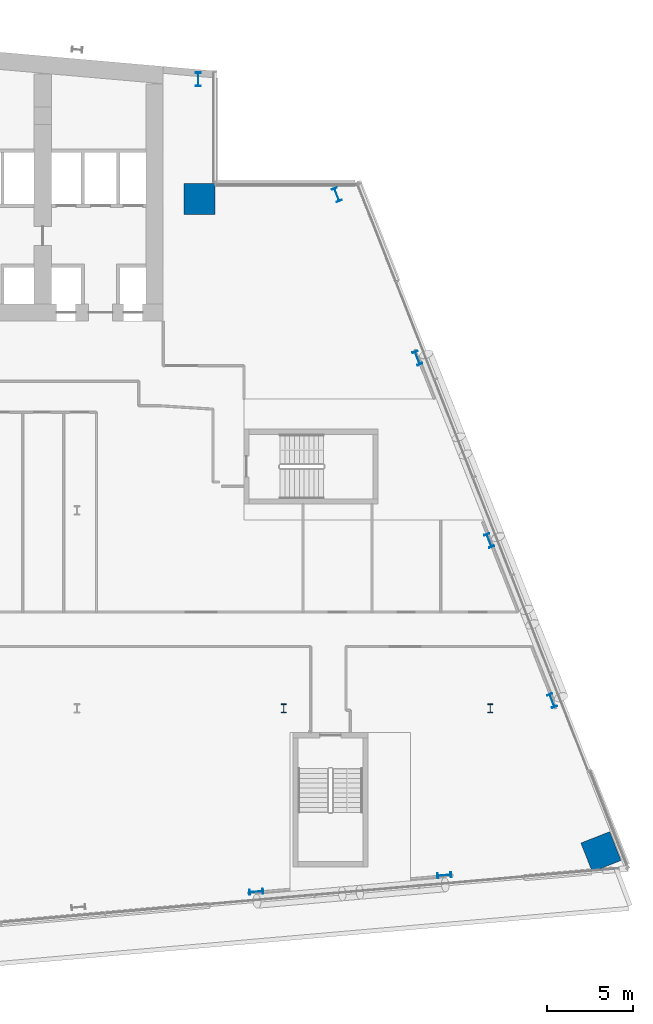
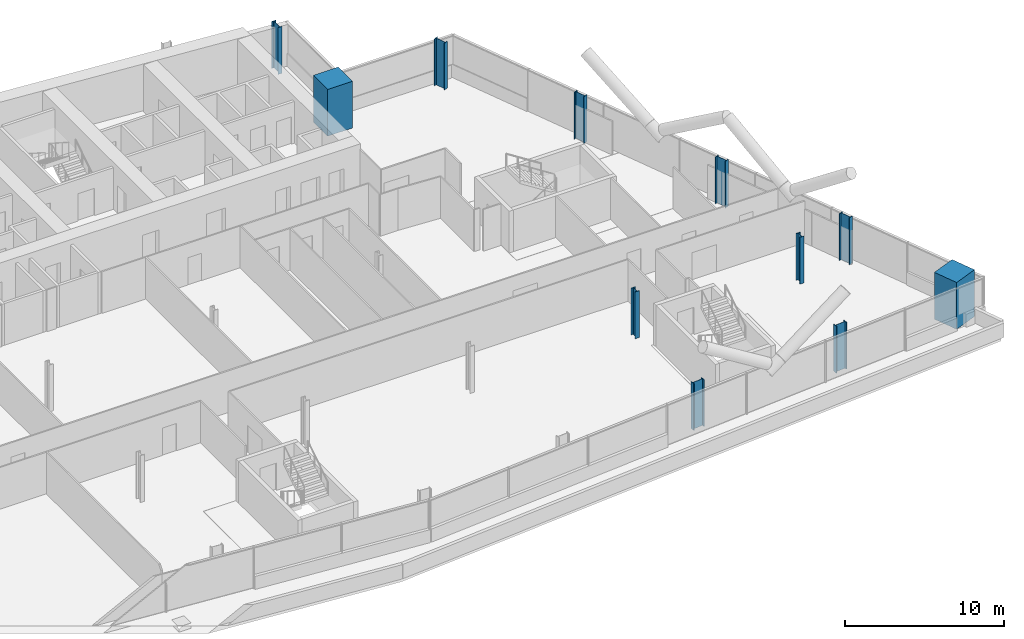
# One storey, part 3 of 26: 11 columns.
"""IFC4 building model written with IfcOpenShell, lengths in metres."""

from ifc_helpers import new_model, si_unit, direction, frame, origin, origin_2d, place, context, subcontext, project, spatial, rectangle, i_section, extrude, material, material_profile, profile_set, type_object, element, save


model = new_model("IFC4")

# Units and contexts
model_context = context("Model", 3, precision=1e-05, world=origin(), true_north=direction((0.0, 1.0)))
body_context = subcontext(model_context, "Body", "Model", "MODEL_VIEW")
ifc_project = project(units=[si_unit("LENGTHUNIT", "METRE"), si_unit("AREAUNIT", "SQUARE_METRE"), si_unit("VOLUMEUNIT", "CUBIC_METRE"), si_unit("PLANEANGLEUNIT", "RADIAN"), si_unit("MASSUNIT", "GRAM", prefix="KILO")], contexts=[model_context])

# Site, building, storey
site_placement = place(None, origin())
site = spatial("IfcSite", under=ifc_project, at=site_placement, CompositionType="ELEMENT")
building_placement = place(site_placement, origin())
building = spatial("IfcBuilding", under=site, at=building_placement, Name="Wharfspan Tower", CompositionType="ELEMENT")
storey_placement = place(building_placement, frame((0.0, 0.0, 96.699951)))
storey = spatial("IfcBuildingStorey", under=building, at=storey_placement, Name="L21", CompositionType="ELEMENT", Elevation=96.699951)

# Columns
ifc_material_1 = material(Name="Steel S355J2", Category="steel")
ifc_material_profile_1 = material_profile(ifc_material_1, i_section(OverallWidth=0.305908, OverallDepth=0.523926, WebThickness=0.020996, FlangeThickness=0.040039, FilletRadius=0.0271, at=origin_2d()))
ifc_profile_set_1 = profile_set([ifc_material_profile_1], Name="Steel S355J2")
column_type_1 = type_object("IfcColumnType", Name="Column HEM 500", PredefinedType="COLUMN", material=ifc_profile_set_1)
for number, where, z_axis, x_axis, name in (
    (1, (72.0, 11.5, 0.0), (0.0, 0.0, 1.0), (1.0, 0.0, 0.0), "Interior column I.1.6 L21"),
    (2, (84.0, 11.5, 0.0), (0.0, 0.0, 1.0), (1.0, 0.0, 0.0), "Interior column I.1.7 L21"),
):
    element("IfcColumn", number, at=place(storey_placement, frame(where, z_axis=z_axis, x_axis=x_axis)), inside=storey, type_object=column_type_1, Name=name, PredefinedType="COLUMN", context=body_context, shape_type="SweptSolid", body=[
        extrude(i_section(OverallWidth=0.305908, OverallDepth=0.523926, WebThickness=0.020996, FlangeThickness=0.040039, FilletRadius=0.0271, at=origin_2d()), origin(), (0.0, 0.0, 1.0), 3.600098),
    ])
ifc_material_profile_2 = material_profile(ifc_material_1, i_section(OverallWidth=0.302979, OverallDepth=0.813965, WebThickness=0.020996, FlangeThickness=0.040039, FilletRadius=0.030029, at=origin_2d()))
ifc_profile_set_2 = profile_set([ifc_material_profile_2], Name="Steel S355J2")
column_type_2 = type_object("IfcColumnType", Name="Column HEM 800", PredefinedType="COLUMN", material=ifc_profile_set_2)
for number, where, z_axis, x_axis, name in (
    (3, (70.404053, 0.852783, 0.0), (0.0, 0.0, 1.0), (0.087156, -0.996198, 0.0), "Perimeter column PS2.2 L21"),
    (4, (81.327881, 1.80835, 0.0), (0.0, 0.0, 1.0), (0.087156, -0.996198, 0.0), "Perimeter column PS2.3 L21"),
    (5, (87.586914, 11.952393, 0.0), (0.0, 0.0, 1.0), (0.930702, 0.365778, 0.0), "Perimeter column PE.1 L21"),
    (6, (83.932617, 21.250977, 0.0), (0.0, 0.0, 1.0), (0.930702, 0.365778, 0.0), "Perimeter column PE.2 L21"),
    (7, (79.765869, 31.852539, 0.0), (0.0, 0.0, 1.0), (0.930702, 0.365778, 0.0), "Perimeter column PE.3 L21"),
    (8, (75.084961, 41.337646, 0.0), (0.0, 0.0, 1.0), (0.930702, 0.365778, 0.0), "Perimeter column PE.4 L21"),
    (9, (67.031982, 48.035645, 0.0), (0.0, 0.0, 1.0), (1.0, 0.0, 0.0), "Perimeter column PNRE-V.1 L21"),
):
    element("IfcColumn", number, at=place(storey_placement, frame(where, z_axis=z_axis, x_axis=x_axis)), inside=storey, type_object=column_type_2, Name=name, PredefinedType="COLUMN", context=body_context, shape_type="SweptSolid", body=[
        extrude(i_section(OverallWidth=0.302979, OverallDepth=0.813965, WebThickness=0.020996, FlangeThickness=0.040039, FilletRadius=0.030029, at=origin_2d()), origin(), (0.0, 0.0, 1.0), 3.600098),
    ])
ifc_material_2 = material(Name="Concrete C70/85", Category="concrete")
ifc_material_profile_3 = material_profile(ifc_material_2, rectangle(XDim=1.800049, YDim=1.800049, at=origin_2d()))
ifc_profile_set_3 = profile_set([ifc_material_profile_3], Name="Concrete C70/85")
column_type_3 = type_object("IfcColumnType", Name="Mega column 1800 C70/85", PredefinedType="COLUMN", material=ifc_profile_set_3)
for number, where, z_axis, x_axis, name in (
    (10, (67.100098, 41.100098, 0.0), (0.0, 0.0, 1.0), (1.0, 0.0, 0.0), "Mega column MC3 L21"),
    (11, (90.427246, 3.174072, 0.0), (0.0, 0.0, 1.0), (-0.365778, 0.930702, 0.0), "Mega column MC4 L21"),
):
    element("IfcColumn", number, at=place(storey_placement, frame(where, z_axis=z_axis, x_axis=x_axis)), inside=storey, type_object=column_type_3, Name=name, PredefinedType="COLUMN", context=body_context, shape_type="SweptSolid", body=[
        extrude(rectangle(XDim=1.800049, YDim=1.800049, at=origin_2d()), origin(), (0.0, 0.0, 1.0), 3.600098),
    ])

save(model, "model.ifc")
